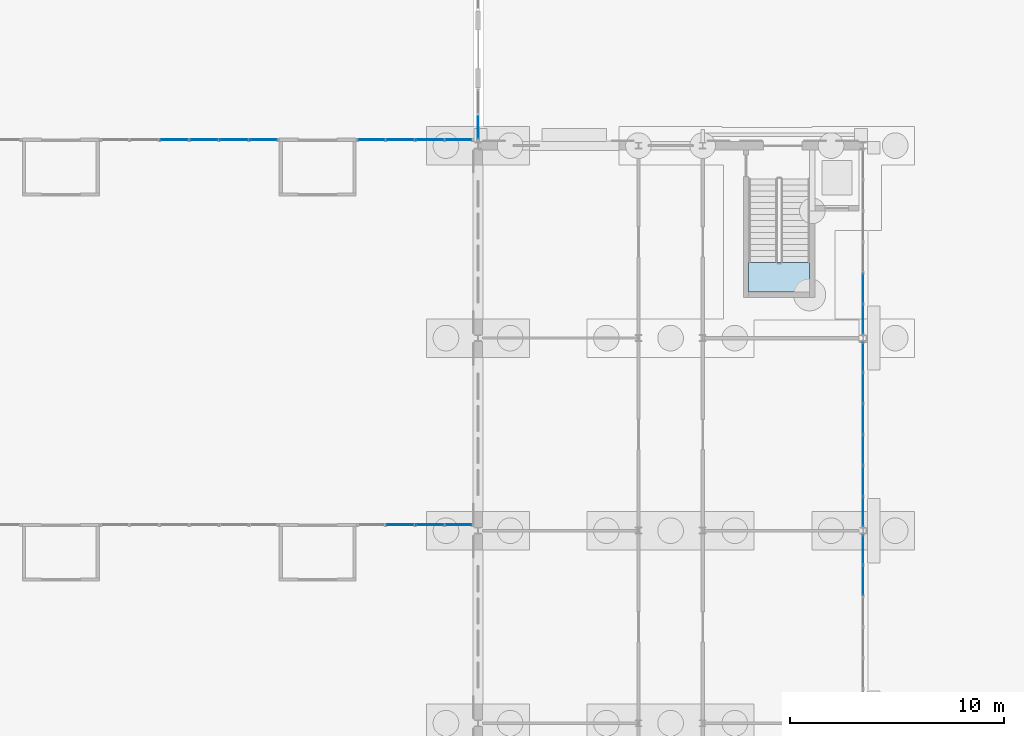
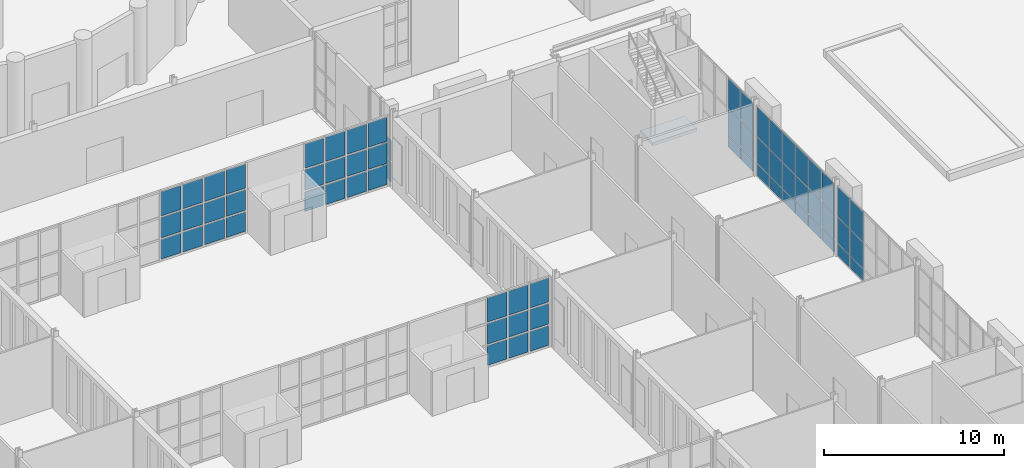
# One storey, part 78 of 168: 65 plates, 1 slab, 8 elements without a shape of their own.
"""IFC4 building model written with IfcOpenShell, lengths in metres."""

from ifc_helpers import new_model, si_unit, direction, frame, origin, origin_2d, place, context, subcontext, project, spatial, polyline, rectangle, outline, extrude, material, layer, layer_set, type_object, element, aggregate, save


model = new_model("IFC4")

# Units and contexts
model_context = context("Model", 3, precision=1e-05, world=origin(), true_north=direction((0.0, 1.0)))
body_context = subcontext(model_context, "Body", "Model", "MODEL_VIEW")
ifc_project = project(units=[si_unit("LENGTHUNIT", "METRE"), si_unit("AREAUNIT", "SQUARE_METRE"), si_unit("VOLUMEUNIT", "CUBIC_METRE"), si_unit("PLANEANGLEUNIT", "RADIAN"), si_unit("MASSUNIT", "GRAM", prefix="KILO")], contexts=[model_context])

# Site, building, storey
site_placement = place(None, origin())
site = spatial("IfcSite", under=ifc_project, at=site_placement, CompositionType="ELEMENT")
building_placement = place(site_placement, origin())
building = spatial("IfcBuilding", under=site, at=building_placement, Name="Golden Quay Civic Hall", CompositionType="ELEMENT")
storey_placement = place(building_placement, origin())
storey = spatial("IfcBuildingStorey", under=building, at=storey_placement, Name="L00", CompositionType="ELEMENT", Elevation=0.0)

# Stair, slab
ifc_material_1 = material(Name="Concrete C35/45", Category="concrete")
stair_type = type_object("IfcStairType", Name="Concrete stair 1350 wide 30 risers of 180.0", PredefinedType="HALF_TURN_STAIR", material=ifc_material_1)
stair_placement = place(storey_placement, origin())
stair = element("IfcStair", 1, at=stair_placement, inside=storey, type_object=stair_type, Name="L00 Stair EM-N", PredefinedType="HALF_TURN_STAIR")
ifc_material_2 = material(Name="Concrete C35/45", Category="concrete")
ifc_layer_1 = layer(ifc_material_2, 0.199951171875)
ifc_layer_set_1 = layer_set([ifc_layer_1], Name="Concrete stair landing 200, Concrete C35/45")
slab_type = type_object("IfcSlabType", Name="Concrete stair landing 200", PredefinedType="LANDING", material=ifc_layer_set_1)
slab_placement = place(storey_placement, frame((0.0, 0.0, 2.5)))
slab = element("IfcSlab", 2, at=slab_placement, type_object=slab_type, Name="EM-N landing 1", PredefinedType="LANDING", context=body_context, shape_type="SweptSolid", body=[
    extrude(outline(polyline([(111.64990234375, 48.530029296875), (111.64990234375, 47.14990234375), (114.5, 47.14990234375), (114.5, 48.530029296875), (111.64990234375, 48.530029296875)])), origin(), (0.0, 0.0, 1.0), 0.199951171875),
])
aggregate(stair, [slab])

# Curtain wall, plates
ifc_material_3 = material(Name="Glass, laminated double glazed", Category="glass")
ifc_layer_2 = layer(ifc_material_3, 0.199951171875)
ifc_layer_set_2 = layer_set([ifc_layer_2], Name="Glazed core strip curtain wall")
curtain_wall_type_1 = type_object("IfcCurtainWallType", Name="Glazed core strip curtain wall", PredefinedType="NOTDEFINED", material=ifc_layer_set_2)
curtain_wall_1_placement = place(storey_placement, origin())
curtain_wall_1 = element("IfcCurtainWall", 3, at=curtain_wall_1_placement, inside=storey, type_object=curtain_wall_type_1, Name="Glazed core strip curtain wall L00 10", PredefinedType="NOTDEFINED")
ifc_material_4 = material(Name="Glass, laminated double glazed", Category="glass")
ifc_layer_3 = layer(ifc_material_4, 0.028076171875)
ifc_layer_set_3 = layer_set([ifc_layer_3], Name="Double glazed curtain wall panel 28")
plate_type_1 = type_object("IfcPlateType", Name="Double glazed curtain wall panel 28", PredefinedType="CURTAIN_PANEL", material=ifc_layer_set_3)
plate_1_placement = place(storey_placement, frame((117.0, 35.1142578125, 0.06005859375), z_axis=(0.0, 0.0, 1.0), x_axis=(0.0, -1.0, 0.0)))
plate_1 = element("IfcPlate", 4, at=plate_1_placement, type_object=plate_type_1, Name="CW2 panel 1.1", PredefinedType="CURTAIN_PANEL", context=body_context, shape_type="SweptSolid", body=[
    extrude(rectangle(XDim=1.361572265625, YDim=0.028076171875, at=origin_2d()), origin(), (0.0, 0.0, 1.0), 0.81005859375),
])
plate_2_placement = place(storey_placement, frame((117.0, 35.1142578125, 0.93017578125), z_axis=(0.0, 0.0, 1.0), x_axis=(0.0, -1.0, 0.0)))
plate_2 = element("IfcPlate", 5, at=plate_2_placement, type_object=plate_type_1, Name="CW2 panel 1.2", PredefinedType="CURTAIN_PANEL", context=body_context, shape_type="SweptSolid", body=[
    extrude(rectangle(XDim=1.361572265625, YDim=0.028076171875, at=origin_2d()), origin(), (0.0, 0.0, 1.0), 1.739990234375),
])
plate_3_placement = place(storey_placement, frame((117.0, 35.1142578125, 2.72998046875), z_axis=(0.0, 0.0, 1.0), x_axis=(0.0, -1.0, 0.0)))
plate_3 = element("IfcPlate", 6, at=plate_3_placement, type_object=plate_type_1, Name="CW2 panel 1.3", PredefinedType="CURTAIN_PANEL", context=body_context, shape_type="SweptSolid", body=[
    extrude(rectangle(XDim=1.361572265625, YDim=0.028076171875, at=origin_2d()), origin(), (0.0, 0.0, 1.0), 2.010009765625),
])
plate_4_placement = place(storey_placement, frame((117.0, 33.677490234375, 0.06005859375), z_axis=(0.0, 0.0, 1.0), x_axis=(0.0, -1.0, 0.0)))
plate_4 = element("IfcPlate", 7, at=plate_4_placement, type_object=plate_type_1, Name="CW2 panel 2.1", PredefinedType="CURTAIN_PANEL", context=body_context, shape_type="SweptSolid", body=[
    extrude(rectangle(XDim=1.3916015625, YDim=0.028076171875, at=origin_2d()), origin(), (0.0, 0.0, 1.0), 0.81005859375),
])
plate_5_placement = place(storey_placement, frame((117.0, 33.677490234375, 0.93017578125), z_axis=(0.0, 0.0, 1.0), x_axis=(0.0, -1.0, 0.0)))
plate_5 = element("IfcPlate", 8, at=plate_5_placement, type_object=plate_type_1, Name="CW2 panel 2.2", PredefinedType="CURTAIN_PANEL", context=body_context, shape_type="SweptSolid", body=[
    extrude(rectangle(XDim=1.3916015625, YDim=0.028076171875, at=origin_2d()), origin(), (0.0, 0.0, 1.0), 1.739990234375),
])
plate_6_placement = place(storey_placement, frame((117.0, 33.677490234375, 2.72998046875), z_axis=(0.0, 0.0, 1.0), x_axis=(0.0, -1.0, 0.0)))
plate_6 = element("IfcPlate", 9, at=plate_6_placement, type_object=plate_type_1, Name="CW2 panel 2.3", PredefinedType="CURTAIN_PANEL", context=body_context, shape_type="SweptSolid", body=[
    extrude(rectangle(XDim=1.3916015625, YDim=0.028076171875, at=origin_2d()), origin(), (0.0, 0.0, 1.0), 2.010009765625),
])
aggregate(curtain_wall_1, [plate_1, plate_2, plate_3, plate_4, plate_5, plate_6])

curtain_wall_2_placement = place(storey_placement, origin())
curtain_wall_2 = element("IfcCurtainWall", 10, at=curtain_wall_2_placement, inside=storey, type_object=curtain_wall_type_1, Name="Glazed core strip curtain wall L00 11", PredefinedType="NOTDEFINED")
plate_7_placement = place(storey_placement, frame((117.0, 44.1142578125, 0.06005859375), z_axis=(0.0, 0.0, 1.0), x_axis=(0.0, -1.0, 0.0)))
plate_7 = element("IfcPlate", 11, at=plate_7_placement, type_object=plate_type_1, Name="CW2 panel 1.1", PredefinedType="CURTAIN_PANEL", context=body_context, shape_type="SweptSolid", body=[
    extrude(rectangle(XDim=1.361572265625, YDim=0.028076171875, at=origin_2d()), origin(), (0.0, 0.0, 1.0), 0.81005859375),
])
plate_8_placement = place(storey_placement, frame((117.0, 44.1142578125, 0.93017578125), z_axis=(0.0, 0.0, 1.0), x_axis=(0.0, -1.0, 0.0)))
plate_8 = element("IfcPlate", 12, at=plate_8_placement, type_object=plate_type_1, Name="CW2 panel 1.2", PredefinedType="CURTAIN_PANEL", context=body_context, shape_type="SweptSolid", body=[
    extrude(rectangle(XDim=1.361572265625, YDim=0.028076171875, at=origin_2d()), origin(), (0.0, 0.0, 1.0), 1.739990234375),
])
plate_9_placement = place(storey_placement, frame((117.0, 44.1142578125, 2.72998046875), z_axis=(0.0, 0.0, 1.0), x_axis=(0.0, -1.0, 0.0)))
plate_9 = element("IfcPlate", 13, at=plate_9_placement, type_object=plate_type_1, Name="CW2 panel 1.3", PredefinedType="CURTAIN_PANEL", context=body_context, shape_type="SweptSolid", body=[
    extrude(rectangle(XDim=1.361572265625, YDim=0.028076171875, at=origin_2d()), origin(), (0.0, 0.0, 1.0), 2.010009765625),
])
plate_10_placement = place(storey_placement, frame((117.0, 42.677490234375, 0.06005859375), z_axis=(0.0, 0.0, 1.0), x_axis=(0.0, -1.0, 0.0)))
plate_10 = element("IfcPlate", 14, at=plate_10_placement, type_object=plate_type_1, Name="CW2 panel 2.1", PredefinedType="CURTAIN_PANEL", context=body_context, shape_type="SweptSolid", body=[
    extrude(rectangle(XDim=1.3916015625, YDim=0.028076171875, at=origin_2d()), origin(), (0.0, 0.0, 1.0), 0.81005859375),
])
plate_11_placement = place(storey_placement, frame((117.0, 42.677490234375, 0.93017578125), z_axis=(0.0, 0.0, 1.0), x_axis=(0.0, -1.0, 0.0)))
plate_11 = element("IfcPlate", 15, at=plate_11_placement, type_object=plate_type_1, Name="CW2 panel 2.2", PredefinedType="CURTAIN_PANEL", context=body_context, shape_type="SweptSolid", body=[
    extrude(rectangle(XDim=1.3916015625, YDim=0.028076171875, at=origin_2d()), origin(), (0.0, 0.0, 1.0), 1.739990234375),
])
plate_12_placement = place(storey_placement, frame((117.0, 42.677490234375, 2.72998046875), z_axis=(0.0, 0.0, 1.0), x_axis=(0.0, -1.0, 0.0)))
plate_12 = element("IfcPlate", 16, at=plate_12_placement, type_object=plate_type_1, Name="CW2 panel 2.3", PredefinedType="CURTAIN_PANEL", context=body_context, shape_type="SweptSolid", body=[
    extrude(rectangle(XDim=1.3916015625, YDim=0.028076171875, at=origin_2d()), origin(), (0.0, 0.0, 1.0), 2.010009765625),
])
plate_13_placement = place(storey_placement, frame((117.0, 41.225830078125, 0.06005859375), z_axis=(0.0, 0.0, 1.0), x_axis=(0.0, -1.0, 0.0)))
plate_13 = element("IfcPlate", 17, at=plate_13_placement, type_object=plate_type_1, Name="CW2 panel 3.1", PredefinedType="CURTAIN_PANEL", context=body_context, shape_type="SweptSolid", body=[
    extrude(rectangle(XDim=1.3916015625, YDim=0.028076171875, at=origin_2d()), origin(), (0.0, 0.0, 1.0), 0.81005859375),
])
plate_14_placement = place(storey_placement, frame((117.0, 41.225830078125, 0.93017578125), z_axis=(0.0, 0.0, 1.0), x_axis=(0.0, -1.0, 0.0)))
plate_14 = element("IfcPlate", 18, at=plate_14_placement, type_object=plate_type_1, Name="CW2 panel 3.2", PredefinedType="CURTAIN_PANEL", context=body_context, shape_type="SweptSolid", body=[
    extrude(rectangle(XDim=1.3916015625, YDim=0.028076171875, at=origin_2d()), origin(), (0.0, 0.0, 1.0), 1.739990234375),
])
plate_15_placement = place(storey_placement, frame((117.0, 41.225830078125, 2.72998046875), z_axis=(0.0, 0.0, 1.0), x_axis=(0.0, -1.0, 0.0)))
plate_15 = element("IfcPlate", 19, at=plate_15_placement, type_object=plate_type_1, Name="CW2 panel 3.3", PredefinedType="CURTAIN_PANEL", context=body_context, shape_type="SweptSolid", body=[
    extrude(rectangle(XDim=1.3916015625, YDim=0.028076171875, at=origin_2d()), origin(), (0.0, 0.0, 1.0), 2.010009765625),
])
plate_16_placement = place(storey_placement, frame((117.0, 39.774169921875, 0.06005859375), z_axis=(0.0, 0.0, 1.0), x_axis=(0.0, -1.0, 0.0)))
plate_16 = element("IfcPlate", 20, at=plate_16_placement, type_object=plate_type_1, Name="CW2 panel 4.1", PredefinedType="CURTAIN_PANEL", context=body_context, shape_type="SweptSolid", body=[
    extrude(rectangle(XDim=1.3916015625, YDim=0.028076171875, at=origin_2d()), origin(), (0.0, 0.0, 1.0), 0.81005859375),
])
plate_17_placement = place(storey_placement, frame((117.0, 39.774169921875, 0.93017578125), z_axis=(0.0, 0.0, 1.0), x_axis=(0.0, -1.0, 0.0)))
plate_17 = element("IfcPlate", 21, at=plate_17_placement, type_object=plate_type_1, Name="CW2 panel 4.2", PredefinedType="CURTAIN_PANEL", context=body_context, shape_type="SweptSolid", body=[
    extrude(rectangle(XDim=1.3916015625, YDim=0.028076171875, at=origin_2d()), origin(), (0.0, 0.0, 1.0), 1.739990234375),
])
plate_18_placement = place(storey_placement, frame((117.0, 39.774169921875, 2.72998046875), z_axis=(0.0, 0.0, 1.0), x_axis=(0.0, -1.0, 0.0)))
plate_18 = element("IfcPlate", 22, at=plate_18_placement, type_object=plate_type_1, Name="CW2 panel 4.3", PredefinedType="CURTAIN_PANEL", context=body_context, shape_type="SweptSolid", body=[
    extrude(rectangle(XDim=1.3916015625, YDim=0.028076171875, at=origin_2d()), origin(), (0.0, 0.0, 1.0), 2.010009765625),
])
plate_19_placement = place(storey_placement, frame((117.0, 38.322509765625, 0.06005859375), z_axis=(0.0, 0.0, 1.0), x_axis=(0.0, -1.0, 0.0)))
plate_19 = element("IfcPlate", 23, at=plate_19_placement, type_object=plate_type_1, Name="CW2 panel 5.1", PredefinedType="CURTAIN_PANEL", context=body_context, shape_type="SweptSolid", body=[
    extrude(rectangle(XDim=1.3916015625, YDim=0.028076171875, at=origin_2d()), origin(), (0.0, 0.0, 1.0), 0.81005859375),
])
plate_20_placement = place(storey_placement, frame((117.0, 38.322509765625, 0.93017578125), z_axis=(0.0, 0.0, 1.0), x_axis=(0.0, -1.0, 0.0)))
plate_20 = element("IfcPlate", 24, at=plate_20_placement, type_object=plate_type_1, Name="CW2 panel 5.2", PredefinedType="CURTAIN_PANEL", context=body_context, shape_type="SweptSolid", body=[
    extrude(rectangle(XDim=1.3916015625, YDim=0.028076171875, at=origin_2d()), origin(), (0.0, 0.0, 1.0), 1.739990234375),
])
plate_21_placement = place(storey_placement, frame((117.0, 38.322509765625, 2.72998046875), z_axis=(0.0, 0.0, 1.0), x_axis=(0.0, -1.0, 0.0)))
plate_21 = element("IfcPlate", 25, at=plate_21_placement, type_object=plate_type_1, Name="CW2 panel 5.3", PredefinedType="CURTAIN_PANEL", context=body_context, shape_type="SweptSolid", body=[
    extrude(rectangle(XDim=1.3916015625, YDim=0.028076171875, at=origin_2d()), origin(), (0.0, 0.0, 1.0), 2.010009765625),
])
plate_22_placement = place(storey_placement, frame((117.0, 36.8857421875, 0.06005859375), z_axis=(0.0, 0.0, 1.0), x_axis=(0.0, -1.0, 0.0)))
plate_22 = element("IfcPlate", 26, at=plate_22_placement, type_object=plate_type_1, Name="CW2 panel 6.1", PredefinedType="CURTAIN_PANEL", context=body_context, shape_type="SweptSolid", body=[
    extrude(rectangle(XDim=1.361572265625, YDim=0.028076171875, at=origin_2d()), origin(), (0.0, 0.0, 1.0), 0.81005859375),
])
plate_23_placement = place(storey_placement, frame((117.0, 36.8857421875, 0.93017578125), z_axis=(0.0, 0.0, 1.0), x_axis=(0.0, -1.0, 0.0)))
plate_23 = element("IfcPlate", 27, at=plate_23_placement, type_object=plate_type_1, Name="CW2 panel 6.2", PredefinedType="CURTAIN_PANEL", context=body_context, shape_type="SweptSolid", body=[
    extrude(rectangle(XDim=1.361572265625, YDim=0.028076171875, at=origin_2d()), origin(), (0.0, 0.0, 1.0), 1.739990234375),
])
plate_24_placement = place(storey_placement, frame((117.0, 36.8857421875, 2.72998046875), z_axis=(0.0, 0.0, 1.0), x_axis=(0.0, -1.0, 0.0)))
plate_24 = element("IfcPlate", 28, at=plate_24_placement, type_object=plate_type_1, Name="CW2 panel 6.3", PredefinedType="CURTAIN_PANEL", context=body_context, shape_type="SweptSolid", body=[
    extrude(rectangle(XDim=1.361572265625, YDim=0.028076171875, at=origin_2d()), origin(), (0.0, 0.0, 1.0), 2.010009765625),
])
aggregate(curtain_wall_2, [plate_7, plate_8, plate_9, plate_10, plate_11, plate_12, plate_13, plate_14, plate_15, plate_16, plate_17, plate_18, plate_19, plate_20, plate_21, plate_22, plate_23, plate_24])

curtain_wall_3_placement = place(storey_placement, origin())
curtain_wall_3 = element("IfcCurtainWall", 29, at=curtain_wall_3_placement, inside=storey, type_object=curtain_wall_type_1, Name="Glazed core strip curtain wall L00 12", PredefinedType="NOTDEFINED")
plate_25_placement = place(storey_placement, frame((117.0, 47.322509765625, 0.06005859375), z_axis=(0.0, 0.0, 1.0), x_axis=(0.0, -1.0, 0.0)))
plate_25 = element("IfcPlate", 30, at=plate_25_placement, type_object=plate_type_1, Name="CW2 panel 5.1", PredefinedType="CURTAIN_PANEL", context=body_context, shape_type="SweptSolid", body=[
    extrude(rectangle(XDim=1.3916015625, YDim=0.028076171875, at=origin_2d()), origin(), (0.0, 0.0, 1.0), 0.81005859375),
])
plate_26_placement = place(storey_placement, frame((117.0, 47.322509765625, 0.93017578125), z_axis=(0.0, 0.0, 1.0), x_axis=(0.0, -1.0, 0.0)))
plate_26 = element("IfcPlate", 31, at=plate_26_placement, type_object=plate_type_1, Name="CW2 panel 5.2", PredefinedType="CURTAIN_PANEL", context=body_context, shape_type="SweptSolid", body=[
    extrude(rectangle(XDim=1.3916015625, YDim=0.028076171875, at=origin_2d()), origin(), (0.0, 0.0, 1.0), 1.739990234375),
])
plate_27_placement = place(storey_placement, frame((117.0, 47.322509765625, 2.72998046875), z_axis=(0.0, 0.0, 1.0), x_axis=(0.0, -1.0, 0.0)))
plate_27 = element("IfcPlate", 32, at=plate_27_placement, type_object=plate_type_1, Name="CW2 panel 5.3", PredefinedType="CURTAIN_PANEL", context=body_context, shape_type="SweptSolid", body=[
    extrude(rectangle(XDim=1.3916015625, YDim=0.028076171875, at=origin_2d()), origin(), (0.0, 0.0, 1.0), 2.010009765625),
])
plate_28_placement = place(storey_placement, frame((117.0, 45.8857421875, 0.06005859375), z_axis=(0.0, 0.0, 1.0), x_axis=(0.0, -1.0, 0.0)))
plate_28 = element("IfcPlate", 33, at=plate_28_placement, type_object=plate_type_1, Name="CW2 panel 6.1", PredefinedType="CURTAIN_PANEL", context=body_context, shape_type="SweptSolid", body=[
    extrude(rectangle(XDim=1.361572265625, YDim=0.028076171875, at=origin_2d()), origin(), (0.0, 0.0, 1.0), 0.81005859375),
])
plate_29_placement = place(storey_placement, frame((117.0, 45.8857421875, 0.93017578125), z_axis=(0.0, 0.0, 1.0), x_axis=(0.0, -1.0, 0.0)))
plate_29 = element("IfcPlate", 34, at=plate_29_placement, type_object=plate_type_1, Name="CW2 panel 6.2", PredefinedType="CURTAIN_PANEL", context=body_context, shape_type="SweptSolid", body=[
    extrude(rectangle(XDim=1.361572265625, YDim=0.028076171875, at=origin_2d()), origin(), (0.0, 0.0, 1.0), 1.739990234375),
])
plate_30_placement = place(storey_placement, frame((117.0, 45.8857421875, 2.72998046875), z_axis=(0.0, 0.0, 1.0), x_axis=(0.0, -1.0, 0.0)))
plate_30 = element("IfcPlate", 35, at=plate_30_placement, type_object=plate_type_1, Name="CW2 panel 6.3", PredefinedType="CURTAIN_PANEL", context=body_context, shape_type="SweptSolid", body=[
    extrude(rectangle(XDim=1.361572265625, YDim=0.028076171875, at=origin_2d()), origin(), (0.0, 0.0, 1.0), 2.010009765625),
])
aggregate(curtain_wall_3, [plate_25, plate_26, plate_27, plate_28, plate_29, plate_30])

ifc_material_5 = material(Name="Fire-resisting glass and steel", Category="steel")
curtain_wall_type_2 = type_object("IfcCurtainWallType", Name="Fire-resisting glazed curtain wall EI 120", PredefinedType="NOTDEFINED", material=ifc_material_5)
curtain_wall_4_placement = place(storey_placement, origin())
curtain_wall_4 = element("IfcCurtainWall", 36, at=curtain_wall_4_placement, inside=storey, type_object=curtain_wall_type_2, Name="CW3 curtain wall", PredefinedType="NOTDEFINED")
ifc_material_6 = material(Name="Fire-resisting laminated glass", Category="glass")
ifc_layer_4 = layer(ifc_material_6, 0.0400390625)
ifc_layer_set_4 = layer_set([ifc_layer_4], Name="Fire-resisting glazed panel 40")
plate_type_2 = type_object("IfcPlateType", Name="Fire-resisting glazed panel 40", PredefinedType="CURTAIN_PANEL", material=ifc_layer_set_4)
plate_31_placement = place(storey_placement, frame((95.362548828125, 36.27001953125, 0.1201171875), z_axis=(0.0, 0.0, 1.0), x_axis=(1.0, 0.0, 0.0)))
plate_31 = element("IfcPlate", 37, at=plate_31_placement, type_object=plate_type_2, Name="CW3 panel 2.1", PredefinedType="CURTAIN_PANEL", context=body_context, shape_type="SweptSolid", body=[
    extrude(rectangle(XDim=1.2548828125, YDim=0.0400390625, at=origin_2d()), origin(), (0.0, 0.0, 1.0), 1.320068359375),
])
plate_32_placement = place(storey_placement, frame((95.362548828125, 36.27001953125, 1.56005859375), z_axis=(0.0, 0.0, 1.0), x_axis=(1.0, 0.0, 0.0)))
plate_32 = element("IfcPlate", 38, at=plate_32_placement, type_object=plate_type_2, Name="CW3 panel 2.2", PredefinedType="CURTAIN_PANEL", context=body_context, shape_type="SweptSolid", body=[
    extrude(rectangle(XDim=1.2548828125, YDim=0.0400390625, at=origin_2d()), origin(), (0.0, 0.0, 1.0), 1.3798828125),
])
plate_33_placement = place(storey_placement, frame((95.362548828125, 36.27001953125, 3.06005859375), z_axis=(0.0, 0.0, 1.0), x_axis=(1.0, 0.0, 0.0)))
plate_33 = element("IfcPlate", 39, at=plate_33_placement, type_object=plate_type_2, Name="CW3 panel 2.3", PredefinedType="CURTAIN_PANEL", context=body_context, shape_type="SweptSolid", body=[
    extrude(rectangle(XDim=1.2548828125, YDim=0.0400390625, at=origin_2d()), origin(), (0.0, 0.0, 1.0), 1.6201171875),
])
plate_34_placement = place(storey_placement, frame((96.737548828125, 36.27001953125, 0.1201171875), z_axis=(0.0, 0.0, 1.0), x_axis=(1.0, 0.0, 0.0)))
plate_34 = element("IfcPlate", 40, at=plate_34_placement, type_object=plate_type_2, Name="CW3 panel 3.1", PredefinedType="CURTAIN_PANEL", context=body_context, shape_type="SweptSolid", body=[
    extrude(rectangle(XDim=1.2548828125, YDim=0.0400390625, at=origin_2d()), origin(), (0.0, 0.0, 1.0), 1.320068359375),
])
plate_35_placement = place(storey_placement, frame((96.737548828125, 36.27001953125, 1.56005859375), z_axis=(0.0, 0.0, 1.0), x_axis=(1.0, 0.0, 0.0)))
plate_35 = element("IfcPlate", 41, at=plate_35_placement, type_object=plate_type_2, Name="CW3 panel 3.2", PredefinedType="CURTAIN_PANEL", context=body_context, shape_type="SweptSolid", body=[
    extrude(rectangle(XDim=1.2548828125, YDim=0.0400390625, at=origin_2d()), origin(), (0.0, 0.0, 1.0), 1.3798828125),
])
plate_36_placement = place(storey_placement, frame((96.737548828125, 36.27001953125, 3.06005859375), z_axis=(0.0, 0.0, 1.0), x_axis=(1.0, 0.0, 0.0)))
plate_36 = element("IfcPlate", 42, at=plate_36_placement, type_object=plate_type_2, Name="CW3 panel 3.3", PredefinedType="CURTAIN_PANEL", context=body_context, shape_type="SweptSolid", body=[
    extrude(rectangle(XDim=1.2548828125, YDim=0.0400390625, at=origin_2d()), origin(), (0.0, 0.0, 1.0), 1.6201171875),
])
plate_37_placement = place(storey_placement, frame((98.08251953125, 36.27001953125, 0.1201171875), z_axis=(0.0, 0.0, 1.0), x_axis=(1.0, 0.0, 0.0)))
plate_37 = element("IfcPlate", 43, at=plate_37_placement, type_object=plate_type_2, Name="CW3 panel 4.1", PredefinedType="CURTAIN_PANEL", context=body_context, shape_type="SweptSolid", body=[
    extrude(rectangle(XDim=1.195068359375, YDim=0.0400390625, at=origin_2d()), origin(), (0.0, 0.0, 1.0), 1.320068359375),
])
plate_38_placement = place(storey_placement, frame((98.08251953125, 36.27001953125, 1.56005859375), z_axis=(0.0, 0.0, 1.0), x_axis=(1.0, 0.0, 0.0)))
plate_38 = element("IfcPlate", 44, at=plate_38_placement, type_object=plate_type_2, Name="CW3 panel 4.2", PredefinedType="CURTAIN_PANEL", context=body_context, shape_type="SweptSolid", body=[
    extrude(rectangle(XDim=1.195068359375, YDim=0.0400390625, at=origin_2d()), origin(), (0.0, 0.0, 1.0), 1.3798828125),
])
plate_39_placement = place(storey_placement, frame((98.08251953125, 36.27001953125, 3.06005859375), z_axis=(0.0, 0.0, 1.0), x_axis=(1.0, 0.0, 0.0)))
plate_39 = element("IfcPlate", 45, at=plate_39_placement, type_object=plate_type_2, Name="CW3 panel 4.3", PredefinedType="CURTAIN_PANEL", context=body_context, shape_type="SweptSolid", body=[
    extrude(rectangle(XDim=1.195068359375, YDim=0.0400390625, at=origin_2d()), origin(), (0.0, 0.0, 1.0), 1.6201171875),
])
aggregate(curtain_wall_4, [plate_31, plate_32, plate_33, plate_34, plate_35, plate_36, plate_37, plate_38, plate_39])

curtain_wall_5_placement = place(storey_placement, origin())
curtain_wall_5 = element("IfcCurtainWall", 46, at=curtain_wall_5_placement, inside=storey, type_object=curtain_wall_type_2, Name="CW3 curtain wall", PredefinedType="NOTDEFINED")
plate_40_placement = place(storey_placement, frame((84.800048828125, 54.27001953125, 0.1201171875), z_axis=(0.0, 0.0, 1.0), x_axis=(1.0, 0.0, 0.0)))
plate_40 = element("IfcPlate", 47, at=plate_40_placement, type_object=plate_type_2, Name="CW3 panel 3.1", PredefinedType="CURTAIN_PANEL", context=body_context, shape_type="SweptSolid", body=[
    extrude(rectangle(XDim=1.280029296875, YDim=0.0400390625, at=origin_2d()), origin(), (0.0, 0.0, 1.0), 1.320068359375),
])
plate_41_placement = place(storey_placement, frame((84.800048828125, 54.27001953125, 1.56005859375), z_axis=(0.0, 0.0, 1.0), x_axis=(1.0, 0.0, 0.0)))
plate_41 = element("IfcPlate", 48, at=plate_41_placement, type_object=plate_type_2, Name="CW3 panel 3.2", PredefinedType="CURTAIN_PANEL", context=body_context, shape_type="SweptSolid", body=[
    extrude(rectangle(XDim=1.280029296875, YDim=0.0400390625, at=origin_2d()), origin(), (0.0, 0.0, 1.0), 1.3798828125),
])
plate_42_placement = place(storey_placement, frame((84.800048828125, 54.27001953125, 3.06005859375), z_axis=(0.0, 0.0, 1.0), x_axis=(1.0, 0.0, 0.0)))
plate_42 = element("IfcPlate", 49, at=plate_42_placement, type_object=plate_type_2, Name="CW3 panel 3.3", PredefinedType="CURTAIN_PANEL", context=body_context, shape_type="SweptSolid", body=[
    extrude(rectangle(XDim=1.280029296875, YDim=0.0400390625, at=origin_2d()), origin(), (0.0, 0.0, 1.0), 1.6201171875),
])
plate_43_placement = place(storey_placement, frame((86.199951171875, 54.27001953125, 0.1201171875), z_axis=(0.0, 0.0, 1.0), x_axis=(1.0, 0.0, 0.0)))
plate_43 = element("IfcPlate", 50, at=plate_43_placement, type_object=plate_type_2, Name="CW3 panel 4.1", PredefinedType="CURTAIN_PANEL", context=body_context, shape_type="SweptSolid", body=[
    extrude(rectangle(XDim=1.280029296875, YDim=0.0400390625, at=origin_2d()), origin(), (0.0, 0.0, 1.0), 1.320068359375),
])
plate_44_placement = place(storey_placement, frame((86.199951171875, 54.27001953125, 1.56005859375), z_axis=(0.0, 0.0, 1.0), x_axis=(1.0, 0.0, 0.0)))
plate_44 = element("IfcPlate", 51, at=plate_44_placement, type_object=plate_type_2, Name="CW3 panel 4.2", PredefinedType="CURTAIN_PANEL", context=body_context, shape_type="SweptSolid", body=[
    extrude(rectangle(XDim=1.280029296875, YDim=0.0400390625, at=origin_2d()), origin(), (0.0, 0.0, 1.0), 1.3798828125),
])
plate_45_placement = place(storey_placement, frame((86.199951171875, 54.27001953125, 3.06005859375), z_axis=(0.0, 0.0, 1.0), x_axis=(1.0, 0.0, 0.0)))
plate_45 = element("IfcPlate", 52, at=plate_45_placement, type_object=plate_type_2, Name="CW3 panel 4.3", PredefinedType="CURTAIN_PANEL", context=body_context, shape_type="SweptSolid", body=[
    extrude(rectangle(XDim=1.280029296875, YDim=0.0400390625, at=origin_2d()), origin(), (0.0, 0.0, 1.0), 1.6201171875),
])
plate_46_placement = place(storey_placement, frame((87.60009765625, 54.27001953125, 0.1201171875), z_axis=(0.0, 0.0, 1.0), x_axis=(1.0, 0.0, 0.0)))
plate_46 = element("IfcPlate", 53, at=plate_46_placement, type_object=plate_type_2, Name="CW3 panel 5.1", PredefinedType="CURTAIN_PANEL", context=body_context, shape_type="SweptSolid", body=[
    extrude(rectangle(XDim=1.280029296875, YDim=0.0400390625, at=origin_2d()), origin(), (0.0, 0.0, 1.0), 1.320068359375),
])
plate_47_placement = place(storey_placement, frame((87.60009765625, 54.27001953125, 1.56005859375), z_axis=(0.0, 0.0, 1.0), x_axis=(1.0, 0.0, 0.0)))
plate_47 = element("IfcPlate", 54, at=plate_47_placement, type_object=plate_type_2, Name="CW3 panel 5.2", PredefinedType="CURTAIN_PANEL", context=body_context, shape_type="SweptSolid", body=[
    extrude(rectangle(XDim=1.280029296875, YDim=0.0400390625, at=origin_2d()), origin(), (0.0, 0.0, 1.0), 1.3798828125),
])
plate_48_placement = place(storey_placement, frame((87.60009765625, 54.27001953125, 3.06005859375), z_axis=(0.0, 0.0, 1.0), x_axis=(1.0, 0.0, 0.0)))
plate_48 = element("IfcPlate", 55, at=plate_48_placement, type_object=plate_type_2, Name="CW3 panel 5.3", PredefinedType="CURTAIN_PANEL", context=body_context, shape_type="SweptSolid", body=[
    extrude(rectangle(XDim=1.280029296875, YDim=0.0400390625, at=origin_2d()), origin(), (0.0, 0.0, 1.0), 1.6201171875),
])
plate_49_placement = place(storey_placement, frame((88.969970703125, 54.27001953125, 0.1201171875), z_axis=(0.0, 0.0, 1.0), x_axis=(1.0, 0.0, 0.0)))
plate_49 = element("IfcPlate", 56, at=plate_49_placement, type_object=plate_type_2, Name="CW3 panel 6.1", PredefinedType="CURTAIN_PANEL", context=body_context, shape_type="SweptSolid", body=[
    extrude(rectangle(XDim=1.219970703125, YDim=0.0400390625, at=origin_2d()), origin(), (0.0, 0.0, 1.0), 1.320068359375),
])
plate_50_placement = place(storey_placement, frame((88.969970703125, 54.27001953125, 1.56005859375), z_axis=(0.0, 0.0, 1.0), x_axis=(1.0, 0.0, 0.0)))
plate_50 = element("IfcPlate", 57, at=plate_50_placement, type_object=plate_type_2, Name="CW3 panel 6.2", PredefinedType="CURTAIN_PANEL", context=body_context, shape_type="SweptSolid", body=[
    extrude(rectangle(XDim=1.219970703125, YDim=0.0400390625, at=origin_2d()), origin(), (0.0, 0.0, 1.0), 1.3798828125),
])
plate_51_placement = place(storey_placement, frame((88.969970703125, 54.27001953125, 3.06005859375), z_axis=(0.0, 0.0, 1.0), x_axis=(1.0, 0.0, 0.0)))
plate_51 = element("IfcPlate", 58, at=plate_51_placement, type_object=plate_type_2, Name="CW3 panel 6.3", PredefinedType="CURTAIN_PANEL", context=body_context, shape_type="SweptSolid", body=[
    extrude(rectangle(XDim=1.219970703125, YDim=0.0400390625, at=origin_2d()), origin(), (0.0, 0.0, 1.0), 1.6201171875),
])
aggregate(curtain_wall_5, [plate_40, plate_41, plate_42, plate_43, plate_44, plate_45, plate_46, plate_47, plate_48, plate_49, plate_50, plate_51])

curtain_wall_6_placement = place(storey_placement, origin())
curtain_wall_6 = element("IfcCurtainWall", 59, at=curtain_wall_6_placement, inside=storey, type_object=curtain_wall_type_2, Name="CW3 curtain wall", PredefinedType="NOTDEFINED")
plate_52_placement = place(storey_placement, frame((94.017578125, 54.27001953125, 0.1201171875), z_axis=(0.0, 0.0, 1.0), x_axis=(1.0, 0.0, 0.0)))
plate_52 = element("IfcPlate", 60, at=plate_52_placement, type_object=plate_type_2, Name="CW3 panel 1.1", PredefinedType="CURTAIN_PANEL", context=body_context, shape_type="SweptSolid", body=[
    extrude(rectangle(XDim=1.195068359375, YDim=0.0400390625, at=origin_2d()), origin(), (0.0, 0.0, 1.0), 1.320068359375),
])
plate_53_placement = place(storey_placement, frame((94.017578125, 54.27001953125, 1.56005859375), z_axis=(0.0, 0.0, 1.0), x_axis=(1.0, 0.0, 0.0)))
plate_53 = element("IfcPlate", 61, at=plate_53_placement, type_object=plate_type_2, Name="CW3 panel 1.2", PredefinedType="CURTAIN_PANEL", context=body_context, shape_type="SweptSolid", body=[
    extrude(rectangle(XDim=1.195068359375, YDim=0.0400390625, at=origin_2d()), origin(), (0.0, 0.0, 1.0), 1.3798828125),
])
plate_54_placement = place(storey_placement, frame((94.017578125, 54.27001953125, 3.06005859375), z_axis=(0.0, 0.0, 1.0), x_axis=(1.0, 0.0, 0.0)))
plate_54 = element("IfcPlate", 62, at=plate_54_placement, type_object=plate_type_2, Name="CW3 panel 1.3", PredefinedType="CURTAIN_PANEL", context=body_context, shape_type="SweptSolid", body=[
    extrude(rectangle(XDim=1.195068359375, YDim=0.0400390625, at=origin_2d()), origin(), (0.0, 0.0, 1.0), 1.6201171875),
])
plate_55_placement = place(storey_placement, frame((95.362548828125, 54.27001953125, 0.1201171875), z_axis=(0.0, 0.0, 1.0), x_axis=(1.0, 0.0, 0.0)))
plate_55 = element("IfcPlate", 63, at=plate_55_placement, type_object=plate_type_2, Name="CW3 panel 2.1", PredefinedType="CURTAIN_PANEL", context=body_context, shape_type="SweptSolid", body=[
    extrude(rectangle(XDim=1.2548828125, YDim=0.0400390625, at=origin_2d()), origin(), (0.0, 0.0, 1.0), 1.320068359375),
])
plate_56_placement = place(storey_placement, frame((95.362548828125, 54.27001953125, 1.56005859375), z_axis=(0.0, 0.0, 1.0), x_axis=(1.0, 0.0, 0.0)))
plate_56 = element("IfcPlate", 64, at=plate_56_placement, type_object=plate_type_2, Name="CW3 panel 2.2", PredefinedType="CURTAIN_PANEL", context=body_context, shape_type="SweptSolid", body=[
    extrude(rectangle(XDim=1.2548828125, YDim=0.0400390625, at=origin_2d()), origin(), (0.0, 0.0, 1.0), 1.3798828125),
])
plate_57_placement = place(storey_placement, frame((95.362548828125, 54.27001953125, 3.06005859375), z_axis=(0.0, 0.0, 1.0), x_axis=(1.0, 0.0, 0.0)))
plate_57 = element("IfcPlate", 65, at=plate_57_placement, type_object=plate_type_2, Name="CW3 panel 2.3", PredefinedType="CURTAIN_PANEL", context=body_context, shape_type="SweptSolid", body=[
    extrude(rectangle(XDim=1.2548828125, YDim=0.0400390625, at=origin_2d()), origin(), (0.0, 0.0, 1.0), 1.6201171875),
])
plate_58_placement = place(storey_placement, frame((96.737548828125, 54.27001953125, 0.1201171875), z_axis=(0.0, 0.0, 1.0), x_axis=(1.0, 0.0, 0.0)))
plate_58 = element("IfcPlate", 66, at=plate_58_placement, type_object=plate_type_2, Name="CW3 panel 3.1", PredefinedType="CURTAIN_PANEL", context=body_context, shape_type="SweptSolid", body=[
    extrude(rectangle(XDim=1.2548828125, YDim=0.0400390625, at=origin_2d()), origin(), (0.0, 0.0, 1.0), 1.320068359375),
])
plate_59_placement = place(storey_placement, frame((96.737548828125, 54.27001953125, 1.56005859375), z_axis=(0.0, 0.0, 1.0), x_axis=(1.0, 0.0, 0.0)))
plate_59 = element("IfcPlate", 67, at=plate_59_placement, type_object=plate_type_2, Name="CW3 panel 3.2", PredefinedType="CURTAIN_PANEL", context=body_context, shape_type="SweptSolid", body=[
    extrude(rectangle(XDim=1.2548828125, YDim=0.0400390625, at=origin_2d()), origin(), (0.0, 0.0, 1.0), 1.3798828125),
])
plate_60_placement = place(storey_placement, frame((96.737548828125, 54.27001953125, 3.06005859375), z_axis=(0.0, 0.0, 1.0), x_axis=(1.0, 0.0, 0.0)))
plate_60 = element("IfcPlate", 68, at=plate_60_placement, type_object=plate_type_2, Name="CW3 panel 3.3", PredefinedType="CURTAIN_PANEL", context=body_context, shape_type="SweptSolid", body=[
    extrude(rectangle(XDim=1.2548828125, YDim=0.0400390625, at=origin_2d()), origin(), (0.0, 0.0, 1.0), 1.6201171875),
])
plate_61_placement = place(storey_placement, frame((98.08251953125, 54.27001953125, 0.1201171875), z_axis=(0.0, 0.0, 1.0), x_axis=(1.0, 0.0, 0.0)))
plate_61 = element("IfcPlate", 69, at=plate_61_placement, type_object=plate_type_2, Name="CW3 panel 4.1", PredefinedType="CURTAIN_PANEL", context=body_context, shape_type="SweptSolid", body=[
    extrude(rectangle(XDim=1.195068359375, YDim=0.0400390625, at=origin_2d()), origin(), (0.0, 0.0, 1.0), 1.320068359375),
])
plate_62_placement = place(storey_placement, frame((98.08251953125, 54.27001953125, 1.56005859375), z_axis=(0.0, 0.0, 1.0), x_axis=(1.0, 0.0, 0.0)))
plate_62 = element("IfcPlate", 70, at=plate_62_placement, type_object=plate_type_2, Name="CW3 panel 4.2", PredefinedType="CURTAIN_PANEL", context=body_context, shape_type="SweptSolid", body=[
    extrude(rectangle(XDim=1.195068359375, YDim=0.0400390625, at=origin_2d()), origin(), (0.0, 0.0, 1.0), 1.3798828125),
])
plate_63_placement = place(storey_placement, frame((98.08251953125, 54.27001953125, 3.06005859375), z_axis=(0.0, 0.0, 1.0), x_axis=(1.0, 0.0, 0.0)))
plate_63 = element("IfcPlate", 71, at=plate_63_placement, type_object=plate_type_2, Name="CW3 panel 4.3", PredefinedType="CURTAIN_PANEL", context=body_context, shape_type="SweptSolid", body=[
    extrude(rectangle(XDim=1.195068359375, YDim=0.0400390625, at=origin_2d()), origin(), (0.0, 0.0, 1.0), 1.6201171875),
])
aggregate(curtain_wall_6, [plate_52, plate_53, plate_54, plate_55, plate_56, plate_57, plate_58, plate_59, plate_60, plate_61, plate_62, plate_63])

ifc_material_7 = material(Name="Glass and aluminium", Category="aluminium")
curtain_wall_type_3 = type_object("IfcCurtainWallType", Name="Glazed curtain wall 1500 module", PredefinedType="NOTDEFINED", material=ifc_material_7)
curtain_wall_7_placement = place(storey_placement, origin())
curtain_wall_7 = element("IfcCurtainWall", 72, at=curtain_wall_7_placement, inside=storey, type_object=curtain_wall_type_3, Name="CW1 curtain wall", PredefinedType="NOTDEFINED")
ifc_material_8 = material(Name="Laminated glass", Category="glass")
ifc_layer_5 = layer(ifc_material_8, 0.028076171875)
ifc_layer_set_5 = layer_set([ifc_layer_5], Name="Laminated glass panel 28")
plate_type_3 = type_object("IfcPlateType", Name="Laminated glass panel 28", PredefinedType="CURTAIN_PANEL", material=ifc_layer_set_5)
plate_64_placement = place(storey_placement, frame((99.0, 54.85498046875, 0.1201171875), z_axis=(0.0, 0.0, 1.0), x_axis=(0.0, 1.0, 0.0)))
plate_64 = element("IfcPlate", 73, at=plate_64_placement, type_object=plate_type_3, Name="CW1 panel 1.1", PredefinedType="CURTAIN_PANEL", context=body_context, shape_type="SweptSolid", body=[
    extrude(rectangle(XDim=1.070068359375, YDim=0.028076171875, at=origin_2d()), origin(), (0.0, 0.0, 1.0), 1.320068359375),
])
plate_65_placement = place(storey_placement, frame((99.0, 54.85498046875, 1.56005859375), z_axis=(0.0, 0.0, 1.0), x_axis=(0.0, 1.0, 0.0)))
plate_65 = element("IfcPlate", 74, at=plate_65_placement, type_object=plate_type_3, Name="CW1 panel 1.2", PredefinedType="CURTAIN_PANEL", context=body_context, shape_type="SweptSolid", body=[
    extrude(rectangle(XDim=1.070068359375, YDim=0.028076171875, at=origin_2d()), origin(), (0.0, 0.0, 1.0), 1.3798828125),
])
aggregate(curtain_wall_7, [plate_64, plate_65])

save(model, "model.ifc")
